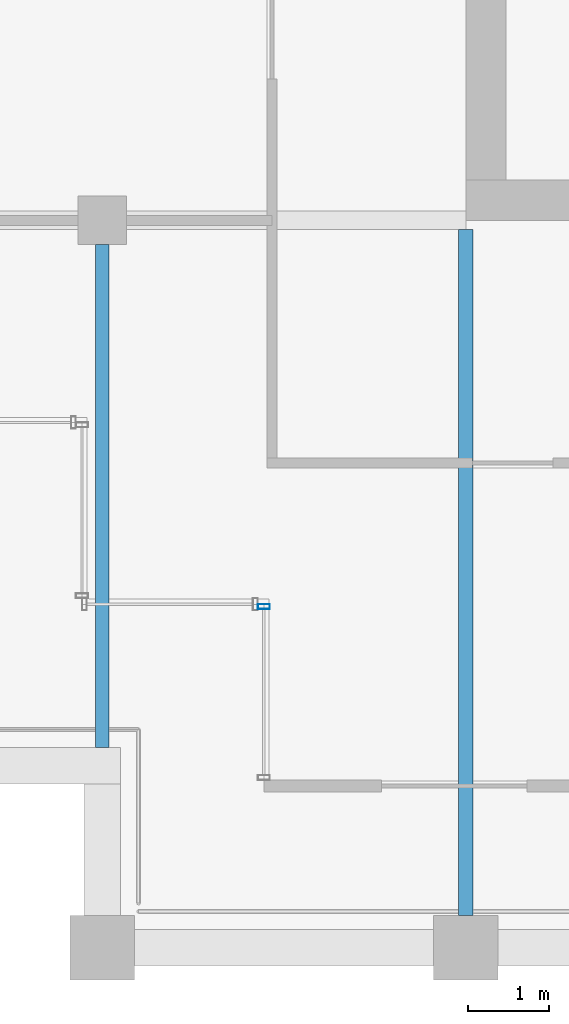
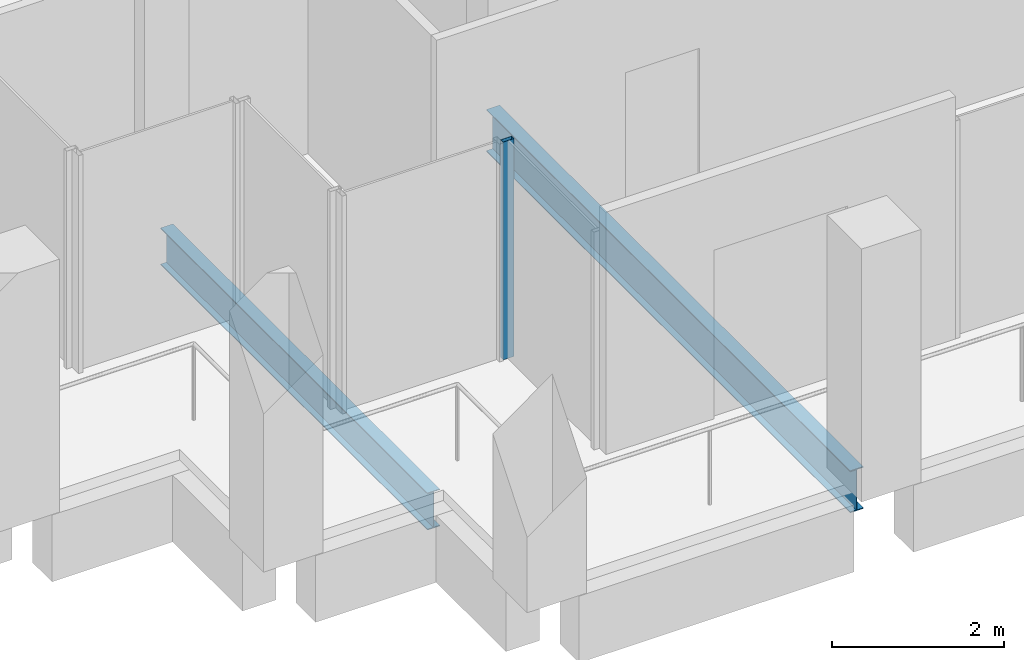
# One storey, part 29 of 41: 2 beams, 1 member, 1 element without a shape of its own.
"""IFC4 building model written with IfcOpenShell, lengths in metres."""

from ifc_helpers import new_model, si_unit, direction, frame, origin, origin_2d, place, context, subcontext, project, spatial, hollow_rectangle, i_section, extrude, material, material_profile, profile_set, type_object, element, aggregate, save


model = new_model("IFC4")

# Units and contexts
model_context = context("Model", 3, precision=1e-05, world=origin(), true_north=direction((0.0, 1.0)))
body_context = subcontext(model_context, "Body", "Model", "MODEL_VIEW")
ifc_project = project(units=[si_unit("LENGTHUNIT", "METRE"), si_unit("AREAUNIT", "SQUARE_METRE"), si_unit("VOLUMEUNIT", "CUBIC_METRE"), si_unit("PLANEANGLEUNIT", "RADIAN"), si_unit("MASSUNIT", "GRAM", prefix="KILO")], contexts=[model_context])

# Site, building, storey
site_placement = place(None, origin())
site = spatial("IfcSite", under=ifc_project, at=site_placement, CompositionType="ELEMENT")
building_placement = place(site_placement, origin())
building = spatial("IfcBuilding", under=site, at=building_placement, Name="Altepetl Exchange Towers", CompositionType="ELEMENT")
storey_placement = place(building_placement, frame((0.0, 0.0, 206.39990234375)))
storey = spatial("IfcBuildingStorey", under=building, at=storey_placement, Name="L52", CompositionType="ELEMENT", Elevation=206.39990234375)

# Beams
ifc_material_1 = material(Name="Steel S355", Category="steel")
ifc_material_profile_1 = material_profile(ifc_material_1, i_section(OverallWidth=0.166015625, OverallDepth=0.529052734375, WebThickness=0.009765625, FlangeThickness=0.013671875, at=origin_2d()), Name="W21X50")
ifc_profile_set_1 = profile_set([ifc_material_profile_1], Name="Steel S355")
beam_type_1 = type_object("IfcBeamType", Name="Floor beam W21X50", PredefinedType="BEAM", material=ifc_profile_set_1)
beam_1_placement = place(storey_placement, frame((99.0, 29.47509765625, -0.414306640625), z_axis=(0.0, 1.0, 0.0), x_axis=(-1.0, 0.0, 0.0)))
element("IfcBeam", 1, at=beam_1_placement, inside=storey, type_object=beam_type_1, Name="bm:B:L52:000", PredefinedType="BEAM", context=body_context, shape_type="SweptSolid", body=[
    extrude(i_section(OverallWidth=0.166015625, OverallDepth=0.529052734375, WebThickness=0.009765625, FlangeThickness=0.013671875, at=origin_2d()), origin(), (0.0, 0.0, 1.0), 6.224853515625),
])
ifc_material_profile_2 = material_profile(ifc_material_1, i_section(OverallWidth=0.177978515625, OverallDepth=0.59912109375, WebThickness=0.010009765625, FlangeThickness=0.0126953125, at=origin_2d()), Name="W24X55")
ifc_profile_set_2 = profile_set([ifc_material_profile_2], Name="Steel S355")
beam_type_2 = type_object("IfcBeamType", Name="Floor beam W24X55", PredefinedType="BEAM", material=ifc_profile_set_2)
beam_2_placement = place(storey_placement, frame((103.5, 27.39990234375, -0.449462890625), z_axis=(0.0, 1.0, 0.0), x_axis=(-1.0, 0.0, 0.0)))
element("IfcBeam", 2, at=beam_2_placement, inside=storey, type_object=beam_type_2, Name="bm:B:L52:001", PredefinedType="BEAM", context=body_context, shape_type="SweptSolid", body=[
    extrude(i_section(OverallWidth=0.177978515625, OverallDepth=0.59912109375, WebThickness=0.010009765625, FlangeThickness=0.0126953125, at=origin_2d()), origin(), (0.0, 0.0, 1.0), 8.486083984375),
])

# Curtain wall, member
ifc_material_2 = material(Name="Aluminium 6063-T6 glazing", Category="aluminium")
curtain_wall_type = type_object("IfcCurtainWallType", Name="Loggia glazing system", PredefinedType="NOTDEFINED", material=ifc_material_2)
curtain_wall_placement = place(storey_placement, origin())
curtain_wall = element("IfcCurtainWall", 3, at=curtain_wall_placement, inside=storey, type_object=curtain_wall_type, Name="CW1 run", PredefinedType="NOTDEFINED")
ifc_material_3 = material(Name="Aluminium 6063-T6", Category="aluminium")
ifc_material_profile_3 = material_profile(ifc_material_3, hollow_rectangle(XDim=0.06005859375, YDim=0.14990234375, WallThickness=0.0029296875, at=origin_2d()), Name="Mullion 60x150 aluminium")
ifc_profile_set_3 = profile_set([ifc_material_profile_3], Name="Aluminium 6063-T6")
member_type = type_object("IfcMemberType", Name="Mullion 60x150 aluminium", PredefinedType="MULLION", material=ifc_profile_set_3)
member_placement = place(storey_placement, frame((101.0, 31.219970703125, 0.0), z_axis=(0.0, 0.0, 1.0), x_axis=(0.0, -1.0, 0.0)))
member = element("IfcMember", 4, at=member_placement, type_object=member_type, Name="MU1 mullion", PredefinedType="MULLION", context=body_context, shape_type="SweptSolid", body=[
    extrude(hollow_rectangle(XDim=0.06005859375, YDim=0.14990234375, WallThickness=0.0029296875, at=origin_2d()), origin(), (0.0, 0.0, 1.0), 3.10009765625),
])
aggregate(curtain_wall, [member])

save(model, "model.ifc")
